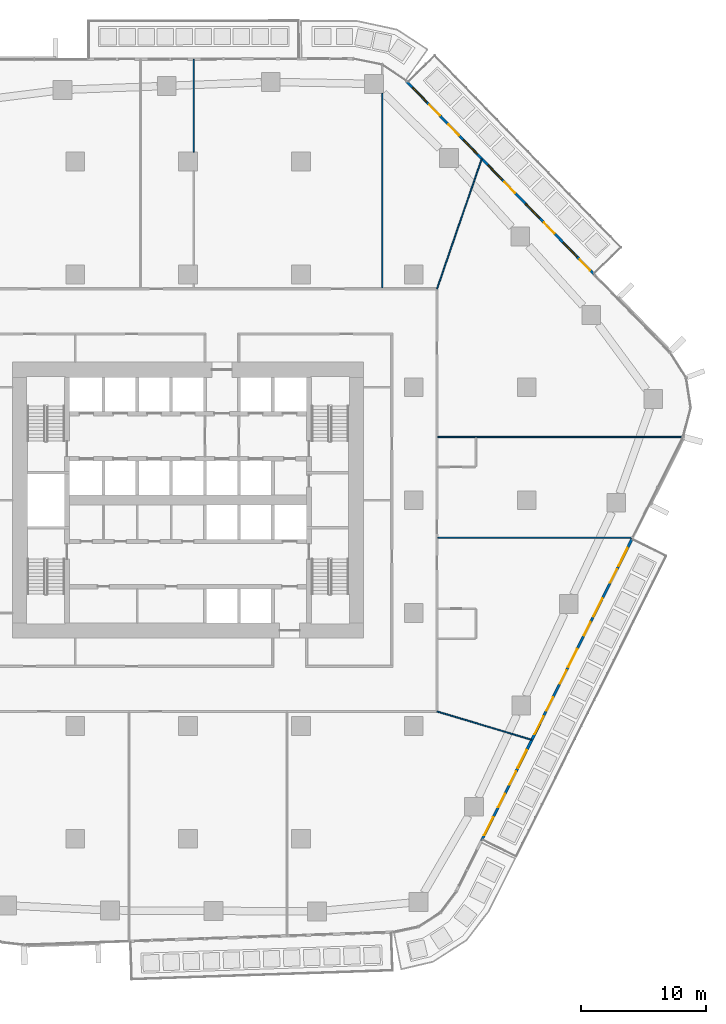
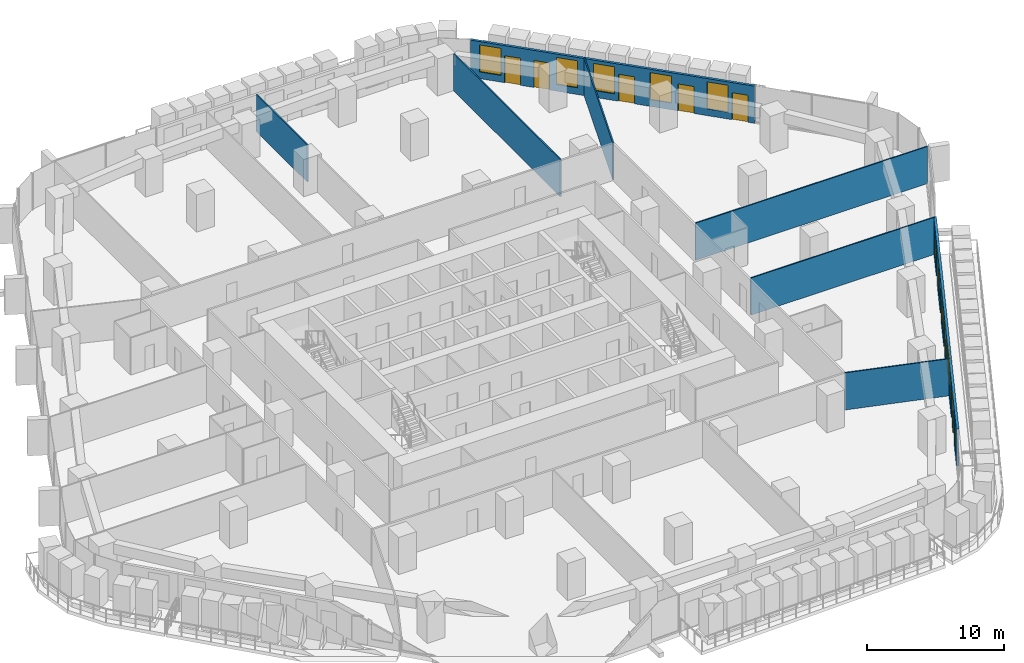
# One storey, part 17 of 26: 11 doors, 11 windows, 8 walls, 22 openings.
"""IFC4 building model written with IfcOpenShell, lengths in metres."""

from ifc_helpers import new_model, si_unit, direction, frame, frame_2d, origin, place, context, subcontext, project, spatial, rectangle, extrude, material, layer, layer_set, type_object, element, fill, save


model = new_model("IFC4")

# Units and contexts
model_context = context("Model", 3, precision=1e-05, world=origin(), true_north=direction((0.0, 1.0)))
body_context = subcontext(model_context, "Body", "Model", "MODEL_VIEW")
ifc_project = project(units=[si_unit("LENGTHUNIT", "METRE"), si_unit("AREAUNIT", "SQUARE_METRE"), si_unit("VOLUMEUNIT", "CUBIC_METRE"), si_unit("PLANEANGLEUNIT", "RADIAN"), si_unit("MASSUNIT", "GRAM", prefix="KILO")], contexts=[model_context])

# Site, building, storey
site_placement = place(None, origin())
site = spatial("IfcSite", under=ifc_project, at=site_placement, CompositionType="ELEMENT")
building_placement = place(site_placement, origin())
building = spatial("IfcBuilding", under=site, at=building_placement, Name="Dongbaek Canopy Tower", CompositionType="ELEMENT")
storey_placement = place(building_placement, frame((0.0, 0.0, 69.89990234375)))
storey = spatial("IfcBuildingStorey", under=building, at=storey_placement, Name="L13", CompositionType="ELEMENT", Elevation=69.89990234375)

# Walls
ifc_material_1 = material(Name="Gypsum board partition, steel stud, 2 x 12.5 mm board", Category="steel")
ifc_layer_1 = layer(ifc_material_1, 0.10009765625)
ifc_layer_set_1 = layer_set([ifc_layer_1], Name="Partition 100 gypsum board")
wall_type_1 = type_object("IfcWallType", Name="Partition 100 gypsum board", PredefinedType="PARTITIONING", material=ifc_layer_set_1)
wall_1_placement = place(storey_placement, frame((19.925048828125, -3.0048828125, 0.0), z_axis=(0.0, 0.0, 1.0), x_axis=(1.0, 0.0, 0.0)))
element("IfcWall", 1, at=wall_1_placement, inside=storey, type_object=wall_type_1, Name="Partition", PredefinedType="PARTITIONING", context=body_context, shape_type="SweptSolid", body=[
    extrude(rectangle(XDim=15.5, YDim=0.10009765625, at=frame_2d((7.75, 0.0))), origin(), (0.0, 0.0, 1.0), 3.300048828125),
])
wall_2_placement = place(storey_placement, frame((19.925048828125, 5.0390625, 0.0), z_axis=(0.0, 0.0, 1.0), x_axis=(1.0, 0.0, 0.0)))
element("IfcWall", 2, at=wall_2_placement, inside=storey, type_object=wall_type_1, Name="Partition", PredefinedType="PARTITIONING", context=body_context, shape_type="SweptSolid", body=[
    extrude(rectangle(XDim=19.51318359375, YDim=0.10009765625, at=frame_2d((9.756591796875, 0.0))), origin(), (0.0, 0.0, 1.0), 3.300048828125),
])
wall_3_placement = place(storey_placement, frame((19.850341796875, 16.849853515625, 0.0), z_axis=(0.0, 0.0, 1.0), x_axis=(0.32525482398, 0.94562640587, 0.0)))
element("IfcWall", 3, at=wall_3_placement, inside=storey, type_object=wall_type_1, Name="Partition", PredefinedType="PARTITIONING", context=body_context, shape_type="SweptSolid", body=[
    extrude(rectangle(XDim=10.9521484375, YDim=0.10009765625, at=frame_2d((5.47607421875, 0.0))), origin(), (0.0, 0.0, 1.0), 3.300048828125),
])
wall_4_placement = place(storey_placement, frame((15.47607421875, 16.925048828125, 0.0), z_axis=(0.0, 0.0, 1.0), x_axis=(0.0, 1.0, 0.0)))
element("IfcWall", 4, at=wall_4_placement, inside=storey, type_object=wall_type_1, Name="Partition", PredefinedType="PARTITIONING", context=body_context, shape_type="SweptSolid", body=[
    extrude(rectangle(XDim=15.51904296875, YDim=0.10009765625, at=frame_2d((7.759521484375, 0.0))), origin(), (0.0, 0.0, 1.0), 3.300048828125),
])
wall_5_placement = place(storey_placement, frame((0.451904296875, 27.75, 0.0), z_axis=(0.0, 0.0, 1.0), x_axis=(0.0, 1.0, 0.0)))
element("IfcWall", 5, at=wall_5_placement, inside=storey, type_object=wall_type_1, Name="Partition", PredefinedType="PARTITIONING", context=body_context, shape_type="SweptSolid", body=[
    extrude(rectangle(XDim=7.407470703125, YDim=0.10009765625, at=frame_2d((3.70361328125, 0.0))), origin(), (0.0, 0.0, 1.0), 3.300048828125),
])
wall_6_placement = place(storey_placement, frame((19.85009765625, -16.85009765625, 0.0), z_axis=(0.0, 0.0, 1.0), x_axis=(0.958075156501, -0.286517005597, 0.0)))
element("IfcWall", 6, at=wall_6_placement, inside=storey, type_object=wall_type_1, Name="Partition", PredefinedType="PARTITIONING", context=body_context, shape_type="SweptSolid", body=[
    extrude(rectangle(XDim=7.87255859375, YDim=0.10009765625, at=frame_2d((3.936279296875, 0.0))), origin(), (0.0, 0.0, 1.0), 3.300048828125),
])

# Wall, openings, doors, windows
ifc_material_2 = material(Name="Aluminium window wall", Category="aluminium")
ifc_layer_2 = layer(ifc_material_2, 0.199951171875)
ifc_layer_set_2 = layer_set([ifc_layer_2], Name="Window wall 200")
wall_type_2 = type_object("IfcWallType", Name="Window wall 200", PredefinedType="SOLIDWALL", material=ifc_layer_set_2)
wall_7_placement = place(storey_placement, frame((32.41650390625, 17.968994140625, 0.0), z_axis=(0.0, 0.0, 1.0), x_axis=(-0.696878416696, 0.717189286272, 0.0)))
wall_7 = element("IfcWall", 7, at=wall_7_placement, inside=storey, type_object=wall_type_2, Name="Window wall L13 1", PredefinedType="SOLIDWALL", context=body_context, shape_type="SweptSolid", body=[
    extrude(rectangle(XDim=21.51611328125, YDim=0.199951171875, at=frame_2d((10.758056640625, 0.0))), origin(), (0.0, 0.0, 1.0), 3.300048828125),
])
opening_1_placement = place(wall_7_placement, frame((2.0, 0.0, 0.60009765625)))
opening_1 = element("IfcOpeningElement", 8, at=opening_1_placement, cuts=wall_7, Name="Opening W1", PredefinedType="OPENING", context=body_context, shape_type="SweptSolid", body=[
    extrude(rectangle(XDim=1.60009765625, YDim=2.39990234375, at=frame_2d((0.800048828125, 1.199951171875))), frame((0.0, 0.10986328125, 0.0), z_axis=(0.0, -1.0, 0.0), x_axis=(1.0, 0.0, 0.0)), (0.0, 0.0, 1.0), 0.219970703125),
])
opening_2_placement = place(wall_7_placement, frame((0.5, 0.0, 0.0)))
opening_2 = element("IfcOpeningElement", 9, at=opening_2_placement, cuts=wall_7, Name="Opening L13-B01", PredefinedType="OPENING", context=body_context, shape_type="SweptSolid", body=[
    extrude(rectangle(XDim=1.199951171875, YDim=2.39990234375, at=frame_2d((0.60009765625, 1.199951171875))), frame((0.0, 0.10986328125, 0.0), z_axis=(0.0, -1.0, 0.0), x_axis=(1.0, 0.0, 0.0)), (0.0, 0.0, 1.0), 0.219970703125),
])
opening_3_placement = place(wall_7_placement, frame((6.30322265625, 0.0, 0.60009765625)))
opening_3 = element("IfcOpeningElement", 10, at=opening_3_placement, cuts=wall_7, Name="Opening W1", PredefinedType="OPENING", context=body_context, shape_type="SweptSolid", body=[
    extrude(rectangle(XDim=1.60009765625, YDim=2.39990234375, at=frame_2d((0.800048828125, 1.199951171875))), frame((0.0, 0.10986328125, 0.0), z_axis=(0.0, -1.0, 0.0), x_axis=(1.0, 0.0, 0.0)), (0.0, 0.0, 1.0), 0.219970703125),
])
opening_4_placement = place(wall_7_placement, frame((4.603271484375, 0.0, 0.0)))
opening_4 = element("IfcOpeningElement", 11, at=opening_4_placement, cuts=wall_7, Name="Opening L13-B02", PredefinedType="OPENING", context=body_context, shape_type="SweptSolid", body=[
    extrude(rectangle(XDim=1.199951171875, YDim=2.39990234375, at=frame_2d((0.60009765625, 1.199951171875))), frame((0.0, 0.10986328125, 0.0), z_axis=(0.0, -1.0, 0.0), x_axis=(1.0, 0.0, 0.0)), (0.0, 0.0, 1.0), 0.219970703125),
])
opening_5_placement = place(wall_7_placement, frame((10.6064453125, 0.0, 0.60009765625)))
opening_5 = element("IfcOpeningElement", 12, at=opening_5_placement, cuts=wall_7, Name="Opening W1", PredefinedType="OPENING", context=body_context, shape_type="SweptSolid", body=[
    extrude(rectangle(XDim=1.60009765625, YDim=2.39990234375, at=frame_2d((0.800048828125, 1.199951171875))), frame((0.0, 0.10986328125, 0.0), z_axis=(0.0, -1.0, 0.0), x_axis=(1.0, 0.0, 0.0)), (0.0, 0.0, 1.0), 0.219970703125),
])
opening_6_placement = place(wall_7_placement, frame((9.1064453125, 0.0, 0.0)))
opening_6 = element("IfcOpeningElement", 13, at=opening_6_placement, cuts=wall_7, Name="Opening L13-B03", PredefinedType="OPENING", context=body_context, shape_type="SweptSolid", body=[
    extrude(rectangle(XDim=1.199951171875, YDim=2.39990234375, at=frame_2d((0.60009765625, 1.199951171875))), frame((0.0, 0.10986328125, 0.0), z_axis=(0.0, -1.0, 0.0), x_axis=(1.0, 0.0, 0.0)), (0.0, 0.0, 1.0), 0.219970703125),
])
opening_7_placement = place(wall_7_placement, frame((13.40966796875, 0.0, 0.60009765625)))
opening_7 = element("IfcOpeningElement", 14, at=opening_7_placement, cuts=wall_7, Name="Opening W1", PredefinedType="OPENING", context=body_context, shape_type="SweptSolid", body=[
    extrude(rectangle(XDim=1.60009765625, YDim=2.39990234375, at=frame_2d((0.800048828125, 1.199951171875))), frame((0.0, 0.10986328125, 0.0), z_axis=(0.0, -1.0, 0.0), x_axis=(1.0, 0.0, 0.0)), (0.0, 0.0, 1.0), 0.219970703125),
])
opening_8_placement = place(wall_7_placement, frame((15.509765625, 0.0, 0.0)))
opening_8 = element("IfcOpeningElement", 15, at=opening_8_placement, cuts=wall_7, Name="Opening L13-B04", PredefinedType="OPENING", context=body_context, shape_type="SweptSolid", body=[
    extrude(rectangle(XDim=1.199951171875, YDim=2.39990234375, at=frame_2d((0.60009765625, 1.199951171875))), frame((0.0, 0.10986328125, 0.0), z_axis=(0.0, -1.0, 0.0), x_axis=(1.0, 0.0, 0.0)), (0.0, 0.0, 1.0), 0.219970703125),
])
opening_9_placement = place(wall_7_placement, frame((19.212890625, 0.0, 0.60009765625)))
opening_9 = element("IfcOpeningElement", 16, at=opening_9_placement, cuts=wall_7, Name="Opening W1", PredefinedType="OPENING", context=body_context, shape_type="SweptSolid", body=[
    extrude(rectangle(XDim=1.60009765625, YDim=2.39990234375, at=frame_2d((0.800048828125, 1.199951171875))), frame((0.0, 0.10986328125, 0.0), z_axis=(0.0, -1.0, 0.0), x_axis=(1.0, 0.0, 0.0)), (0.0, 0.0, 1.0), 0.219970703125),
])
opening_10_placement = place(wall_7_placement, frame((17.712890625, 0.0, 0.0)))
opening_10 = element("IfcOpeningElement", 17, at=opening_10_placement, cuts=wall_7, Name="Opening L13-B05", PredefinedType="OPENING", context=body_context, shape_type="SweptSolid", body=[
    extrude(rectangle(XDim=1.199951171875, YDim=2.39990234375, at=frame_2d((0.60009765625, 1.199951171875))), frame((0.0, 0.10986328125, 0.0), z_axis=(0.0, -1.0, 0.0), x_axis=(1.0, 0.0, 0.0)), (0.0, 0.0, 1.0), 0.219970703125),
])
ifc_material_3 = material(Name="Clear glazing in aluminium frame", Category="aluminium")
door_type = type_object("IfcDoorType", Name="Balcony door BD1 1200 x 2400", OperationType="SLIDING_TO_LEFT", PredefinedType="DOOR", material=ifc_material_3)
door_1_placement = place(opening_2_placement, origin())
door_1 = element("IfcDoor", 18, at=door_1_placement, inside=storey, type_object=door_type, Name="Balcony door L13-B01", OperationType="SLIDING_TO_LEFT", OverallHeight=2.39990234375, OverallWidth=1.199951171875, PredefinedType="DOOR", context=body_context, shape_type="SweptSolid", body=[
    extrude(rectangle(XDim=1.199951171875, YDim=2.39990234375, at=frame_2d((0.60009765625, 1.199951171875))), frame((0.0, 0.02490234375, 0.0), z_axis=(0.0, -1.0, 0.0), x_axis=(1.0, 0.0, 0.0)), (0.0, 0.0, 1.0), 0.050048828125),
])
fill(opening_2, door_1)
door_2_placement = place(opening_4_placement, origin())
door_2 = element("IfcDoor", 19, at=door_2_placement, inside=storey, type_object=door_type, Name="Balcony door L13-B02", OperationType="SLIDING_TO_LEFT", OverallHeight=2.39990234375, OverallWidth=1.199951171875, PredefinedType="DOOR", context=body_context, shape_type="SweptSolid", body=[
    extrude(rectangle(XDim=1.199951171875, YDim=2.39990234375, at=frame_2d((0.60009765625, 1.199951171875))), frame((0.0, 0.02490234375, 0.0), z_axis=(0.0, -1.0, 0.0), x_axis=(1.0, 0.0, 0.0)), (0.0, 0.0, 1.0), 0.050048828125),
])
fill(opening_4, door_2)
door_3_placement = place(opening_6_placement, origin())
door_3 = element("IfcDoor", 20, at=door_3_placement, inside=storey, type_object=door_type, Name="Balcony door L13-B03", OperationType="SLIDING_TO_LEFT", OverallHeight=2.39990234375, OverallWidth=1.199951171875, PredefinedType="DOOR", context=body_context, shape_type="SweptSolid", body=[
    extrude(rectangle(XDim=1.199951171875, YDim=2.39990234375, at=frame_2d((0.60009765625, 1.199951171875))), frame((0.0, 0.02490234375, 0.0), z_axis=(0.0, -1.0, 0.0), x_axis=(1.0, 0.0, 0.0)), (0.0, 0.0, 1.0), 0.050048828125),
])
fill(opening_6, door_3)
door_4_placement = place(opening_8_placement, origin())
door_4 = element("IfcDoor", 21, at=door_4_placement, inside=storey, type_object=door_type, Name="Balcony door L13-B04", OperationType="SLIDING_TO_LEFT", OverallHeight=2.39990234375, OverallWidth=1.199951171875, PredefinedType="DOOR", context=body_context, shape_type="SweptSolid", body=[
    extrude(rectangle(XDim=1.199951171875, YDim=2.39990234375, at=frame_2d((0.60009765625, 1.199951171875))), frame((0.0, 0.02490234375, 0.0), z_axis=(0.0, -1.0, 0.0), x_axis=(1.0, 0.0, 0.0)), (0.0, 0.0, 1.0), 0.050048828125),
])
fill(opening_8, door_4)
door_5_placement = place(opening_10_placement, origin())
door_5 = element("IfcDoor", 22, at=door_5_placement, inside=storey, type_object=door_type, Name="Balcony door L13-B05", OperationType="SLIDING_TO_LEFT", OverallHeight=2.39990234375, OverallWidth=1.199951171875, PredefinedType="DOOR", context=body_context, shape_type="SweptSolid", body=[
    extrude(rectangle(XDim=1.199951171875, YDim=2.39990234375, at=frame_2d((0.60009765625, 1.199951171875))), frame((0.0, 0.02490234375, 0.0), z_axis=(0.0, -1.0, 0.0), x_axis=(1.0, 0.0, 0.0)), (0.0, 0.0, 1.0), 0.050048828125),
])
fill(opening_10, door_5)
ifc_material_4 = material(Name="Clear glazing in aluminium frame", Category="aluminium")
window_type = type_object("IfcWindowType", Name="Window W1 1600 x 2400", PartitioningType="SINGLE_PANEL", PredefinedType="WINDOW", material=ifc_material_4)
window_1_placement = place(opening_1_placement, origin())
window_1 = element("IfcWindow", 23, at=window_1_placement, inside=storey, type_object=window_type, Name="Window L13 1.1", OverallHeight=2.39990234375, OverallWidth=1.60009765625, PartitioningType="SINGLE_PANEL", PredefinedType="WINDOW", context=body_context, shape_type="SweptSolid", body=[
    extrude(rectangle(XDim=1.60009765625, YDim=2.39990234375, at=frame_2d((0.800048828125, 1.199951171875))), frame((0.0, 0.030029296875, 0.0), z_axis=(0.0, -1.0, 0.0), x_axis=(1.0, 0.0, 0.0)), (0.0, 0.0, 1.0), 0.06005859375),
])
fill(opening_1, window_1)
window_2_placement = place(opening_3_placement, origin())
window_2 = element("IfcWindow", 24, at=window_2_placement, inside=storey, type_object=window_type, Name="Window L13 1.2", OverallHeight=2.39990234375, OverallWidth=1.60009765625, PartitioningType="SINGLE_PANEL", PredefinedType="WINDOW", context=body_context, shape_type="SweptSolid", body=[
    extrude(rectangle(XDim=1.60009765625, YDim=2.39990234375, at=frame_2d((0.800048828125, 1.199951171875))), frame((0.0, 0.030029296875, 0.0), z_axis=(0.0, -1.0, 0.0), x_axis=(1.0, 0.0, 0.0)), (0.0, 0.0, 1.0), 0.06005859375),
])
fill(opening_3, window_2)
window_3_placement = place(opening_5_placement, origin())
window_3 = element("IfcWindow", 25, at=window_3_placement, inside=storey, type_object=window_type, Name="Window L13 1.3", OverallHeight=2.39990234375, OverallWidth=1.60009765625, PartitioningType="SINGLE_PANEL", PredefinedType="WINDOW", context=body_context, shape_type="SweptSolid", body=[
    extrude(rectangle(XDim=1.60009765625, YDim=2.39990234375, at=frame_2d((0.800048828125, 1.199951171875))), frame((0.0, 0.030029296875, 0.0), z_axis=(0.0, -1.0, 0.0), x_axis=(1.0, 0.0, 0.0)), (0.0, 0.0, 1.0), 0.06005859375),
])
fill(opening_5, window_3)
window_4_placement = place(opening_7_placement, origin())
window_4 = element("IfcWindow", 26, at=window_4_placement, inside=storey, type_object=window_type, Name="Window L13 1.4", OverallHeight=2.39990234375, OverallWidth=1.60009765625, PartitioningType="SINGLE_PANEL", PredefinedType="WINDOW", context=body_context, shape_type="SweptSolid", body=[
    extrude(rectangle(XDim=1.60009765625, YDim=2.39990234375, at=frame_2d((0.800048828125, 1.199951171875))), frame((0.0, 0.030029296875, 0.0), z_axis=(0.0, -1.0, 0.0), x_axis=(1.0, 0.0, 0.0)), (0.0, 0.0, 1.0), 0.06005859375),
])
fill(opening_7, window_4)
window_5_placement = place(opening_9_placement, origin())
window_5 = element("IfcWindow", 27, at=window_5_placement, inside=storey, type_object=window_type, Name="Window L13 1.5", OverallHeight=2.39990234375, OverallWidth=1.60009765625, PartitioningType="SINGLE_PANEL", PredefinedType="WINDOW", context=body_context, shape_type="SweptSolid", body=[
    extrude(rectangle(XDim=1.60009765625, YDim=2.39990234375, at=frame_2d((0.800048828125, 1.199951171875))), frame((0.0, 0.030029296875, 0.0), z_axis=(0.0, -1.0, 0.0), x_axis=(1.0, 0.0, 0.0)), (0.0, 0.0, 1.0), 0.06005859375),
])
fill(opening_9, window_5)

wall_8_placement = place(storey_placement, frame((23.394287109375, -27.1650390625, 0.0), z_axis=(0.0, 0.0, 1.0), x_axis=(0.446421309396, 0.894822895615, 0.0)))
wall_8 = element("IfcWall", 28, at=wall_8_placement, inside=storey, type_object=wall_type_2, Name="Window wall L13 5", PredefinedType="SOLIDWALL", context=body_context, shape_type="SweptSolid", body=[
    extrude(rectangle(XDim=26.999755859375, YDim=0.199951171875, at=frame_2d((13.5, 0.0))), origin(), (0.0, 0.0, 1.0), 3.300048828125),
])
opening_11_placement = place(wall_8_placement, frame((0.5, 0.0, 0.60009765625)))
opening_11 = element("IfcOpeningElement", 29, at=opening_11_placement, cuts=wall_8, Name="Opening W1", PredefinedType="OPENING", context=body_context, shape_type="SweptSolid", body=[
    extrude(rectangle(XDim=1.60009765625, YDim=2.39990234375, at=frame_2d((0.800048828125, 1.199951171875))), frame((0.0, 0.10986328125, 0.0), z_axis=(0.0, -1.0, 0.0), x_axis=(1.0, 0.0, 0.0)), (0.0, 0.0, 1.0), 0.219970703125),
])
opening_12_placement = place(wall_8_placement, frame((3.0, 0.0, 0.0)))
opening_12 = element("IfcOpeningElement", 30, at=opening_12_placement, cuts=wall_8, Name="Opening L13-B21", PredefinedType="OPENING", context=body_context, shape_type="SweptSolid", body=[
    extrude(rectangle(XDim=1.199951171875, YDim=2.39990234375, at=frame_2d((0.60009765625, 1.199951171875))), frame((0.0, 0.10986328125, 0.0), z_axis=(0.0, -1.0, 0.0), x_axis=(1.0, 0.0, 0.0)), (0.0, 0.0, 1.0), 0.219970703125),
])
opening_13_placement = place(wall_8_placement, frame((6.5, 0.0, 0.60009765625)))
opening_13 = element("IfcOpeningElement", 31, at=opening_13_placement, cuts=wall_8, Name="Opening W1", PredefinedType="OPENING", context=body_context, shape_type="SweptSolid", body=[
    extrude(rectangle(XDim=1.60009765625, YDim=2.39990234375, at=frame_2d((0.800048828125, 1.199951171875))), frame((0.0, 0.10986328125, 0.0), z_axis=(0.0, -1.0, 0.0), x_axis=(1.0, 0.0, 0.0)), (0.0, 0.0, 1.0), 0.219970703125),
])
opening_14_placement = place(wall_8_placement, frame((5.0, 0.0, 0.0)))
opening_14 = element("IfcOpeningElement", 32, at=opening_14_placement, cuts=wall_8, Name="Opening L13-B22", PredefinedType="OPENING", context=body_context, shape_type="SweptSolid", body=[
    extrude(rectangle(XDim=1.199951171875, YDim=2.39990234375, at=frame_2d((0.60009765625, 1.199951171875))), frame((0.0, 0.10986328125, 0.0), z_axis=(0.0, -1.0, 0.0), x_axis=(1.0, 0.0, 0.0)), (0.0, 0.0, 1.0), 0.219970703125),
])
opening_15_placement = place(wall_8_placement, frame((9.5, 0.0, 0.60009765625)))
opening_15 = element("IfcOpeningElement", 33, at=opening_15_placement, cuts=wall_8, Name="Opening W1", PredefinedType="OPENING", context=body_context, shape_type="SweptSolid", body=[
    extrude(rectangle(XDim=1.60009765625, YDim=2.39990234375, at=frame_2d((0.800048828125, 1.199951171875))), frame((0.0, 0.10986328125, 0.0), z_axis=(0.0, -1.0, 0.0), x_axis=(1.0, 0.0, 0.0)), (0.0, 0.0, 1.0), 0.219970703125),
])
opening_16_placement = place(wall_8_placement, frame((11.599853515625, 0.0, 0.0)))
opening_16 = element("IfcOpeningElement", 34, at=opening_16_placement, cuts=wall_8, Name="Opening L13-B23", PredefinedType="OPENING", context=body_context, shape_type="SweptSolid", body=[
    extrude(rectangle(XDim=1.199951171875, YDim=2.39990234375, at=frame_2d((0.60009765625, 1.199951171875))), frame((0.0, 0.10986328125, 0.0), z_axis=(0.0, -1.0, 0.0), x_axis=(1.0, 0.0, 0.0)), (0.0, 0.0, 1.0), 0.219970703125),
])
opening_17_placement = place(wall_8_placement, frame((15.499755859375, 0.0, 0.60009765625)))
opening_17 = element("IfcOpeningElement", 35, at=opening_17_placement, cuts=wall_8, Name="Opening W1", PredefinedType="OPENING", context=body_context, shape_type="SweptSolid", body=[
    extrude(rectangle(XDim=1.60009765625, YDim=2.39990234375, at=frame_2d((0.800048828125, 1.199951171875))), frame((0.0, 0.10986328125, 0.0), z_axis=(0.0, -1.0, 0.0), x_axis=(1.0, 0.0, 0.0)), (0.0, 0.0, 1.0), 0.219970703125),
])
opening_18_placement = place(wall_8_placement, frame((13.999755859375, 0.0, 0.0)))
opening_18 = element("IfcOpeningElement", 36, at=opening_18_placement, cuts=wall_8, Name="Opening L13-B24", PredefinedType="OPENING", context=body_context, shape_type="SweptSolid", body=[
    extrude(rectangle(XDim=1.199951171875, YDim=2.39990234375, at=frame_2d((0.60009765625, 1.199951171875))), frame((0.0, 0.10986328125, 0.0), z_axis=(0.0, -1.0, 0.0), x_axis=(1.0, 0.0, 0.0)), (0.0, 0.0, 1.0), 0.219970703125),
])
opening_19_placement = place(wall_8_placement, frame((19.999755859375, 0.0, 0.60009765625)))
opening_19 = element("IfcOpeningElement", 37, at=opening_19_placement, cuts=wall_8, Name="Opening W1", PredefinedType="OPENING", context=body_context, shape_type="SweptSolid", body=[
    extrude(rectangle(XDim=1.60009765625, YDim=2.39990234375, at=frame_2d((0.800048828125, 1.199951171875))), frame((0.0, 0.10986328125, 0.0), z_axis=(0.0, -1.0, 0.0), x_axis=(1.0, 0.0, 0.0)), (0.0, 0.0, 1.0), 0.219970703125),
])
opening_20_placement = place(wall_8_placement, frame((18.2998046875, 0.0, 0.0)))
opening_20 = element("IfcOpeningElement", 38, at=opening_20_placement, cuts=wall_8, Name="Opening L13-B25", PredefinedType="OPENING", context=body_context, shape_type="SweptSolid", body=[
    extrude(rectangle(XDim=1.199951171875, YDim=2.39990234375, at=frame_2d((0.60009765625, 1.199951171875))), frame((0.0, 0.10986328125, 0.0), z_axis=(0.0, -1.0, 0.0), x_axis=(1.0, 0.0, 0.0)), (0.0, 0.0, 1.0), 0.219970703125),
])
opening_21_placement = place(wall_8_placement, frame((24.499755859375, 0.0, 0.60009765625)))
opening_21 = element("IfcOpeningElement", 39, at=opening_21_placement, cuts=wall_8, Name="Opening W1", PredefinedType="OPENING", context=body_context, shape_type="SweptSolid", body=[
    extrude(rectangle(XDim=1.60009765625, YDim=2.39990234375, at=frame_2d((0.800048828125, 1.199951171875))), frame((0.0, 0.10986328125, 0.0), z_axis=(0.0, -1.0, 0.0), x_axis=(1.0, 0.0, 0.0)), (0.0, 0.0, 1.0), 0.219970703125),
])
opening_22_placement = place(wall_8_placement, frame((22.999755859375, 0.0, 0.0)))
opening_22 = element("IfcOpeningElement", 40, at=opening_22_placement, cuts=wall_8, Name="Opening L13-B26", PredefinedType="OPENING", context=body_context, shape_type="SweptSolid", body=[
    extrude(rectangle(XDim=1.199951171875, YDim=2.39990234375, at=frame_2d((0.60009765625, 1.199951171875))), frame((0.0, 0.10986328125, 0.0), z_axis=(0.0, -1.0, 0.0), x_axis=(1.0, 0.0, 0.0)), (0.0, 0.0, 1.0), 0.219970703125),
])
door_6_placement = place(opening_12_placement, origin())
door_6 = element("IfcDoor", 41, at=door_6_placement, inside=storey, type_object=door_type, Name="Balcony door L13-B21", OperationType="SLIDING_TO_LEFT", OverallHeight=2.39990234375, OverallWidth=1.199951171875, PredefinedType="DOOR", context=body_context, shape_type="SweptSolid", body=[
    extrude(rectangle(XDim=1.199951171875, YDim=2.39990234375, at=frame_2d((0.60009765625, 1.199951171875))), frame((0.0, 0.02490234375, 0.0), z_axis=(0.0, -1.0, 0.0), x_axis=(1.0, 0.0, 0.0)), (0.0, 0.0, 1.0), 0.050048828125),
])
fill(opening_12, door_6)
door_7_placement = place(opening_14_placement, origin())
door_7 = element("IfcDoor", 42, at=door_7_placement, inside=storey, type_object=door_type, Name="Balcony door L13-B22", OperationType="SLIDING_TO_LEFT", OverallHeight=2.39990234375, OverallWidth=1.199951171875, PredefinedType="DOOR", context=body_context, shape_type="SweptSolid", body=[
    extrude(rectangle(XDim=1.199951171875, YDim=2.39990234375, at=frame_2d((0.60009765625, 1.199951171875))), frame((0.0, 0.02490234375, 0.0), z_axis=(0.0, -1.0, 0.0), x_axis=(1.0, 0.0, 0.0)), (0.0, 0.0, 1.0), 0.050048828125),
])
fill(opening_14, door_7)
door_8_placement = place(opening_16_placement, origin())
door_8 = element("IfcDoor", 43, at=door_8_placement, inside=storey, type_object=door_type, Name="Balcony door L13-B23", OperationType="SLIDING_TO_LEFT", OverallHeight=2.39990234375, OverallWidth=1.199951171875, PredefinedType="DOOR", context=body_context, shape_type="SweptSolid", body=[
    extrude(rectangle(XDim=1.199951171875, YDim=2.39990234375, at=frame_2d((0.60009765625, 1.199951171875))), frame((0.0, 0.02490234375, 0.0), z_axis=(0.0, -1.0, 0.0), x_axis=(1.0, 0.0, 0.0)), (0.0, 0.0, 1.0), 0.050048828125),
])
fill(opening_16, door_8)
door_9_placement = place(opening_18_placement, origin())
door_9 = element("IfcDoor", 44, at=door_9_placement, inside=storey, type_object=door_type, Name="Balcony door L13-B24", OperationType="SLIDING_TO_LEFT", OverallHeight=2.39990234375, OverallWidth=1.199951171875, PredefinedType="DOOR", context=body_context, shape_type="SweptSolid", body=[
    extrude(rectangle(XDim=1.199951171875, YDim=2.39990234375, at=frame_2d((0.60009765625, 1.199951171875))), frame((0.0, 0.02490234375, 0.0), z_axis=(0.0, -1.0, 0.0), x_axis=(1.0, 0.0, 0.0)), (0.0, 0.0, 1.0), 0.050048828125),
])
fill(opening_18, door_9)
door_10_placement = place(opening_20_placement, origin())
door_10 = element("IfcDoor", 45, at=door_10_placement, inside=storey, type_object=door_type, Name="Balcony door L13-B25", OperationType="SLIDING_TO_LEFT", OverallHeight=2.39990234375, OverallWidth=1.199951171875, PredefinedType="DOOR", context=body_context, shape_type="SweptSolid", body=[
    extrude(rectangle(XDim=1.199951171875, YDim=2.39990234375, at=frame_2d((0.60009765625, 1.199951171875))), frame((0.0, 0.02490234375, 0.0), z_axis=(0.0, -1.0, 0.0), x_axis=(1.0, 0.0, 0.0)), (0.0, 0.0, 1.0), 0.050048828125),
])
fill(opening_20, door_10)
door_11_placement = place(opening_22_placement, origin())
door_11 = element("IfcDoor", 46, at=door_11_placement, inside=storey, type_object=door_type, Name="Balcony door L13-B26", OperationType="SLIDING_TO_LEFT", OverallHeight=2.39990234375, OverallWidth=1.199951171875, PredefinedType="DOOR", context=body_context, shape_type="SweptSolid", body=[
    extrude(rectangle(XDim=1.199951171875, YDim=2.39990234375, at=frame_2d((0.60009765625, 1.199951171875))), frame((0.0, 0.02490234375, 0.0), z_axis=(0.0, -1.0, 0.0), x_axis=(1.0, 0.0, 0.0)), (0.0, 0.0, 1.0), 0.050048828125),
])
fill(opening_22, door_11)
window_6_placement = place(opening_11_placement, origin())
window_6 = element("IfcWindow", 47, at=window_6_placement, inside=storey, type_object=window_type, Name="Window L13 5.1", OverallHeight=2.39990234375, OverallWidth=1.60009765625, PartitioningType="SINGLE_PANEL", PredefinedType="WINDOW", context=body_context, shape_type="SweptSolid", body=[
    extrude(rectangle(XDim=1.60009765625, YDim=2.39990234375, at=frame_2d((0.800048828125, 1.199951171875))), frame((0.0, 0.030029296875, 0.0), z_axis=(0.0, -1.0, 0.0), x_axis=(1.0, 0.0, 0.0)), (0.0, 0.0, 1.0), 0.06005859375),
])
fill(opening_11, window_6)
window_7_placement = place(opening_13_placement, origin())
window_7 = element("IfcWindow", 48, at=window_7_placement, inside=storey, type_object=window_type, Name="Window L13 5.2", OverallHeight=2.39990234375, OverallWidth=1.60009765625, PartitioningType="SINGLE_PANEL", PredefinedType="WINDOW", context=body_context, shape_type="SweptSolid", body=[
    extrude(rectangle(XDim=1.60009765625, YDim=2.39990234375, at=frame_2d((0.800048828125, 1.199951171875))), frame((0.0, 0.030029296875, 0.0), z_axis=(0.0, -1.0, 0.0), x_axis=(1.0, 0.0, 0.0)), (0.0, 0.0, 1.0), 0.06005859375),
])
fill(opening_13, window_7)
window_8_placement = place(opening_15_placement, origin())
window_8 = element("IfcWindow", 49, at=window_8_placement, inside=storey, type_object=window_type, Name="Window L13 5.3", OverallHeight=2.39990234375, OverallWidth=1.60009765625, PartitioningType="SINGLE_PANEL", PredefinedType="WINDOW", context=body_context, shape_type="SweptSolid", body=[
    extrude(rectangle(XDim=1.60009765625, YDim=2.39990234375, at=frame_2d((0.800048828125, 1.199951171875))), frame((0.0, 0.030029296875, 0.0), z_axis=(0.0, -1.0, 0.0), x_axis=(1.0, 0.0, 0.0)), (0.0, 0.0, 1.0), 0.06005859375),
])
fill(opening_15, window_8)
window_9_placement = place(opening_17_placement, origin())
window_9 = element("IfcWindow", 50, at=window_9_placement, inside=storey, type_object=window_type, Name="Window L13 5.4", OverallHeight=2.39990234375, OverallWidth=1.60009765625, PartitioningType="SINGLE_PANEL", PredefinedType="WINDOW", context=body_context, shape_type="SweptSolid", body=[
    extrude(rectangle(XDim=1.60009765625, YDim=2.39990234375, at=frame_2d((0.800048828125, 1.199951171875))), frame((0.0, 0.030029296875, 0.0), z_axis=(0.0, -1.0, 0.0), x_axis=(1.0, 0.0, 0.0)), (0.0, 0.0, 1.0), 0.06005859375),
])
fill(opening_17, window_9)
window_10_placement = place(opening_19_placement, origin())
window_10 = element("IfcWindow", 51, at=window_10_placement, inside=storey, type_object=window_type, Name="Window L13 5.5", OverallHeight=2.39990234375, OverallWidth=1.60009765625, PartitioningType="SINGLE_PANEL", PredefinedType="WINDOW", context=body_context, shape_type="SweptSolid", body=[
    extrude(rectangle(XDim=1.60009765625, YDim=2.39990234375, at=frame_2d((0.800048828125, 1.199951171875))), frame((0.0, 0.030029296875, 0.0), z_axis=(0.0, -1.0, 0.0), x_axis=(1.0, 0.0, 0.0)), (0.0, 0.0, 1.0), 0.06005859375),
])
fill(opening_19, window_10)
window_11_placement = place(opening_21_placement, origin())
window_11 = element("IfcWindow", 52, at=window_11_placement, inside=storey, type_object=window_type, Name="Window L13 5.6", OverallHeight=2.39990234375, OverallWidth=1.60009765625, PartitioningType="SINGLE_PANEL", PredefinedType="WINDOW", context=body_context, shape_type="SweptSolid", body=[
    extrude(rectangle(XDim=1.60009765625, YDim=2.39990234375, at=frame_2d((0.800048828125, 1.199951171875))), frame((0.0, 0.030029296875, 0.0), z_axis=(0.0, -1.0, 0.0), x_axis=(1.0, 0.0, 0.0)), (0.0, 0.0, 1.0), 0.06005859375),
])
fill(opening_21, window_11)

save(model, "model.ifc")
